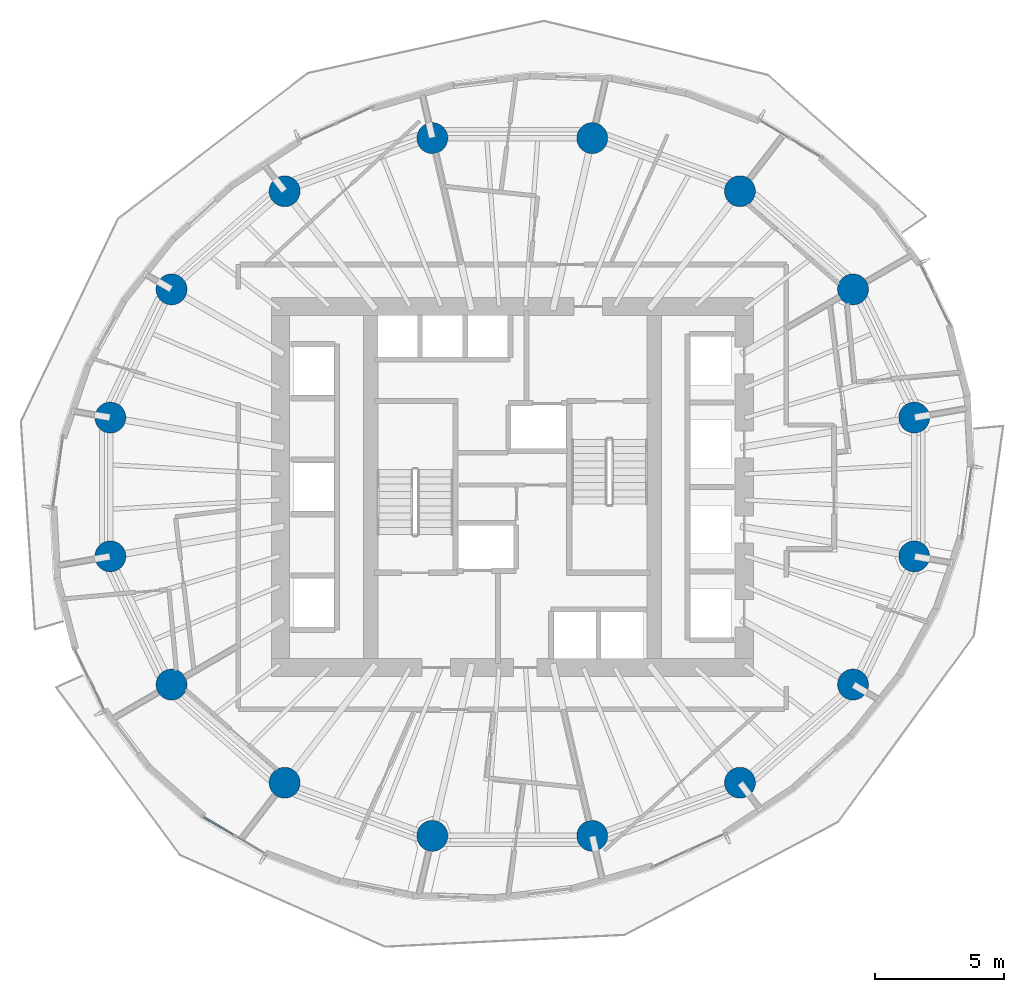
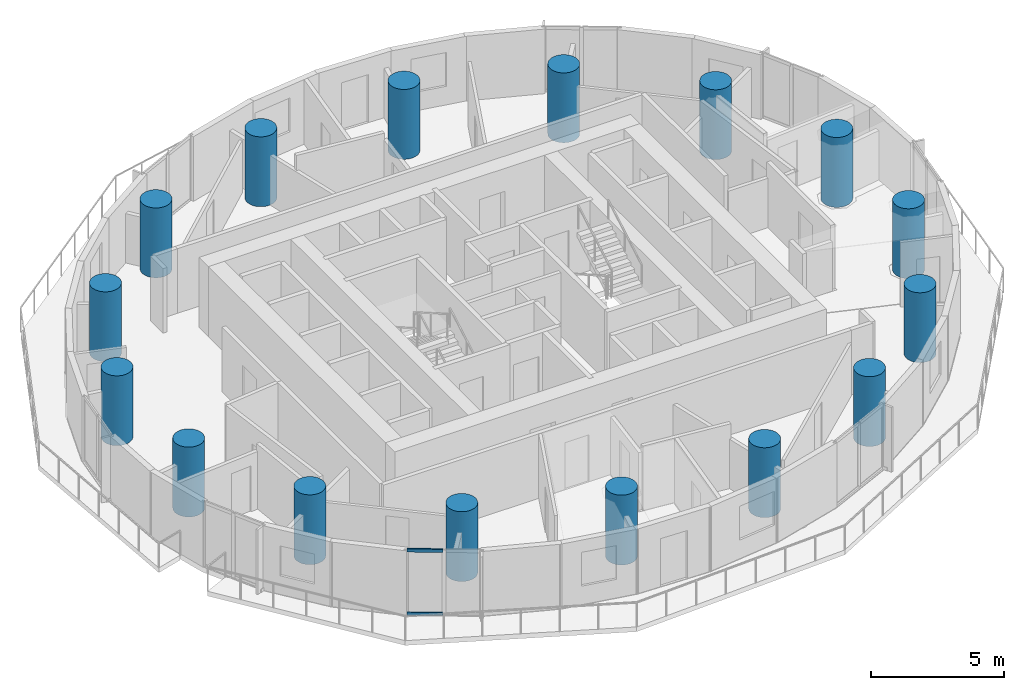
# One storey, part 1 of 14: 16 columns, 2 members, 1 element without a shape of its own.
"""IFC4 building model written with IfcOpenShell, lengths in metres."""

from ifc_helpers import new_model, si_unit, direction, frame, origin, origin_2d, place, context, subcontext, project, spatial, rectangle, circle, extrude, material, material_profile, profile_set, type_object, element, aggregate, save


model = new_model("IFC4")

# Units and contexts
model_context = context("Model", 3, precision=1e-05, world=origin(), true_north=direction((0.0, 1.0)))
body_context = subcontext(model_context, "Body", "Model", "MODEL_VIEW")
ifc_project = project(units=[si_unit("LENGTHUNIT", "METRE"), si_unit("AREAUNIT", "SQUARE_METRE"), si_unit("VOLUMEUNIT", "CUBIC_METRE"), si_unit("PLANEANGLEUNIT", "RADIAN"), si_unit("MASSUNIT", "GRAM", prefix="KILO")], contexts=[model_context])

# Site, building, storey
site_placement = place(None, origin())
site = spatial("IfcSite", under=ifc_project, at=site_placement, CompositionType="ELEMENT")
building_placement = place(site_placement, origin())
building = spatial("IfcBuilding", under=site, at=building_placement, Name="Veldorim Arch Residences", CompositionType="ELEMENT")
storey_placement = place(building_placement, frame((0.0, 0.0, 86.8798828125)))
storey = spatial("IfcBuildingStorey", under=building, at=storey_placement, Name="L25", CompositionType="ELEMENT", Elevation=86.8798828125)

# Columns
ifc_material_1 = material(Name="Concrete C60/75", Category="concrete")
ifc_material_profile_1 = material_profile(ifc_material_1, circle(Radius=0.60009765625, at=origin_2d()), Name="RC_CIRC_1200")
ifc_profile_set_1 = profile_set([ifc_material_profile_1], Name="Concrete C60/75")
column_type = type_object("IfcColumnType", Name="Structural Column RC_CIRC_1200", PredefinedType="COLUMN", material=ifc_profile_set_1)
for number, where, z_axis, x_axis, name in (
    (1, (47.594482421875, 26.692138671875, 0.0), (0.0, 0.0, 1.0), (1.0, 0.0, 0.0), "L25 TC-Z2-01 perimeter column"),
    (2, (45.220458984375, 31.6669921875, 0.0), (0.0, 0.0, 1.0), (1.0, 0.0, 0.0), "L25 TC-Z2-02 perimeter column"),
    (3, (40.83349609375, 35.474365234375, 0.0), (0.0, 0.0, 1.0), (1.0, 0.0, 0.0), "L25 TC-Z2-03 perimeter column"),
    (4, (35.101806640625, 37.534912109375, 0.0), (0.0, 0.0, 1.0), (1.0, 0.0, 0.0), "L25 TC-Z2-04 perimeter column"),
    (5, (28.898193359375, 37.534912109375, 0.0), (0.0, 0.0, 1.0), (1.0, 0.0, 0.0), "L25 TC-Z2-05 perimeter column"),
    (6, (23.16650390625, 35.474365234375, 0.0), (0.0, 0.0, 1.0), (1.0, 0.0, 0.0), "L25 TC-Z2-06 perimeter column"),
    (7, (18.779541015625, 31.6669921875, 0.0), (0.0, 0.0, 1.0), (1.0, 0.0, 0.0), "L25 TC-Z2-07 perimeter column"),
    (8, (16.405517578125, 26.692138671875, 0.0), (0.0, 0.0, 1.0), (1.0, 0.0, 0.0), "L25 TC-Z2-08 perimeter column"),
    (9, (16.405517578125, 21.307861328125, 0.0), (0.0, 0.0, 1.0), (1.0, 0.0, 0.0), "L25 TC-Z2-09 perimeter column"),
    (10, (18.779541015625, 16.3330078125, 0.0), (0.0, 0.0, 1.0), (1.0, 0.0, 0.0), "L25 TC-Z2-10 perimeter column"),
    (11, (23.16650390625, 12.525634765625, 0.0), (0.0, 0.0, 1.0), (1.0, 0.0, 0.0), "L25 TC-Z2-11 perimeter column"),
    (12, (28.898193359375, 10.465087890625, 0.0), (0.0, 0.0, 1.0), (1.0, 0.0, 0.0), "L25 TC-Z2-12 perimeter column"),
    (13, (35.101806640625, 10.465087890625, 0.0), (0.0, 0.0, 1.0), (1.0, 0.0, 0.0), "L25 TC-Z2-13 perimeter column"),
    (14, (40.83349609375, 12.525634765625, 0.0), (0.0, 0.0, 1.0), (1.0, 0.0, 0.0), "L25 TC-Z2-14 perimeter column"),
    (15, (45.220458984375, 16.3330078125, 0.0), (0.0, 0.0, 1.0), (1.0, 0.0, 0.0), "L25 TC-Z2-15 perimeter column"),
    (16, (47.594482421875, 21.307861328125, 0.0), (0.0, 0.0, 1.0), (1.0, 0.0, 0.0), "L25 TC-Z2-16 perimeter column"),
):
    element("IfcColumn", number, at=place(storey_placement, frame(where, z_axis=z_axis, x_axis=x_axis)), inside=storey, type_object=column_type, Name=name, PredefinedType="COLUMN", context=body_context, shape_type="SweptSolid", body=[
        extrude(circle(Radius=0.60009765625, at=origin_2d()), origin(), (0.0, 0.0, 1.0), 3.2001953125),
    ])

# Curtain wall, members
ifc_material_2 = material(Name="Aluminium", Category="aluminium")
curtain_wall_type = type_object("IfcCurtainWallType", Name="Zone 2 Solar-Control Unitised Curtain Wall", PredefinedType="NOTDEFINED", material=ifc_material_2)
curtain_wall_placement = place(storey_placement, origin())
curtain_wall = element("IfcCurtainWall", 17, at=curtain_wall_placement, inside=storey, type_object=curtain_wall_type, Name="L25 unitised curtain wall bay 22", PredefinedType="NOTDEFINED")
ifc_material_3 = material(Name="Aluminium", Category="aluminium")
ifc_material_profile_2 = material_profile(ifc_material_3, rectangle(XDim=0.06494140625, YDim=0.14501953125, at=origin_2d()), Name="ALU_TRN_65x145")
ifc_profile_set_2 = profile_set([ifc_material_profile_2], Name="Aluminium")
member_type = type_object("IfcMemberType", Name="Zone 2 Solar-Control Unitised Curtain Wall Transom 65x145", PredefinedType="USERDEFINED", material=ifc_profile_set_2)
member_1_placement = place(storey_placement, frame((21.18798828125, 10.50048828125, 0.03271484375), z_axis=(-0.857636334709, 0.514256664894, 0.0), x_axis=(-0.514256664894, -0.857636334709, 0.0)))
member_1 = element("IfcMember", 18, at=member_1_placement, type_object=member_type, Name="CW-Z2 transom 2.1", ObjectType="TRANSOM", PredefinedType="USERDEFINED", context=body_context, shape_type="SweptSolid", body=[
    extrude(rectangle(XDim=0.06494140625, YDim=0.14501953125, at=origin_2d()), origin(), (0.0, 0.0, 1.0), 1.3515625),
])
member_2_placement = place(storey_placement, frame((21.18798828125, 10.50048828125, 2.927734375), z_axis=(-0.857636334709, 0.514256664894, 0.0), x_axis=(-0.514256664894, -0.857636334709, 0.0)))
member_2 = element("IfcMember", 19, at=member_2_placement, type_object=member_type, Name="CW-Z2 transom 2.2", ObjectType="TRANSOM", PredefinedType="USERDEFINED", context=body_context, shape_type="SweptSolid", body=[
    extrude(rectangle(XDim=0.06494140625, YDim=0.14501953125, at=origin_2d()), origin(), (0.0, 0.0, 1.0), 1.3515625),
])
aggregate(curtain_wall, [member_1, member_2])

save(model, "model.ifc")
